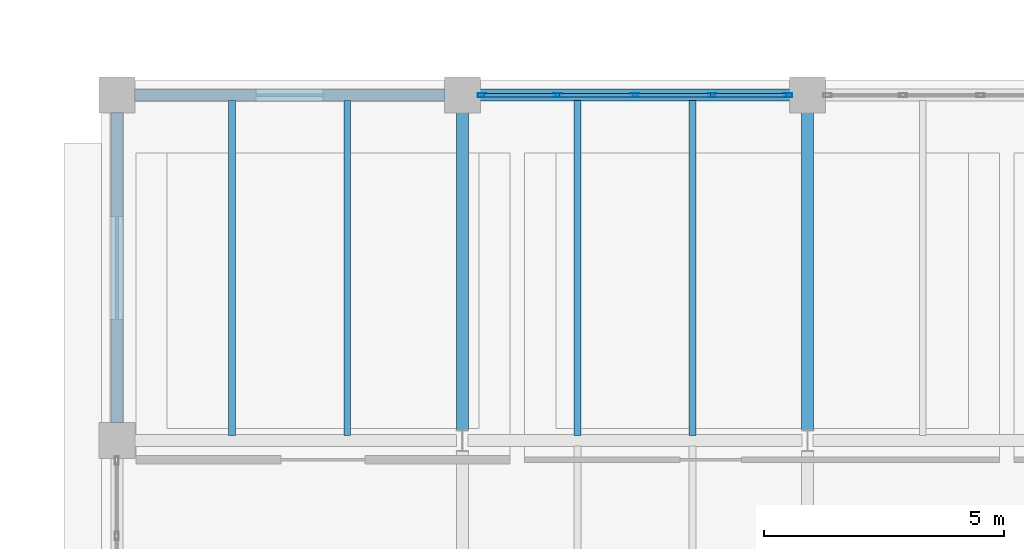
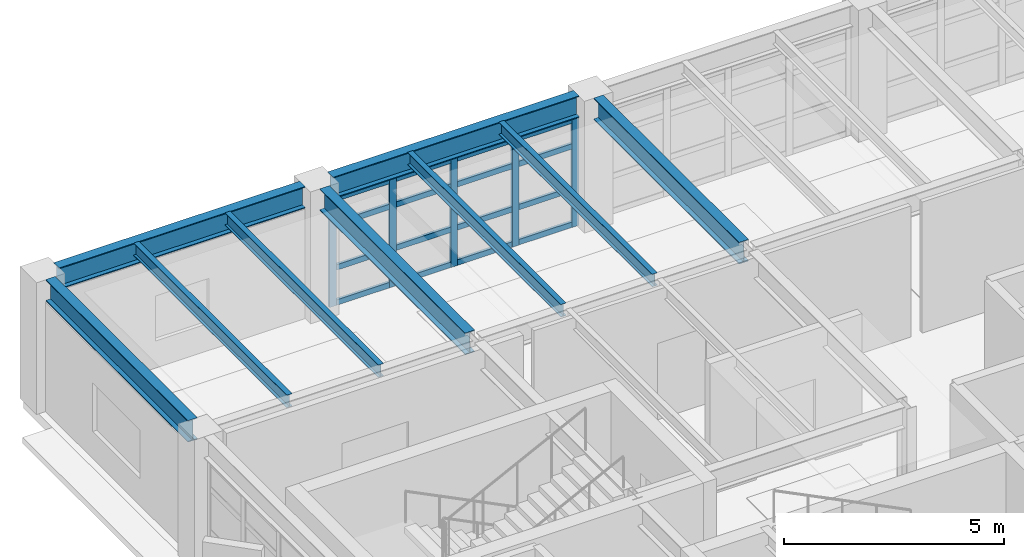
# One storey, part 9 of 32: 21 members, 9 beams, 1 element without a shape of its own.
"""IFC4 building model written with IfcOpenShell, lengths in metres."""

from ifc_helpers import new_model, si_unit, direction, frame, origin, origin_2d, place, context, subcontext, project, spatial, hollow_rectangle, i_section, extrude, material, layer, layer_set, material_profile, profile_set, type_object, element, aggregate, save


model = new_model("IFC4")

# Units and contexts
model_context = context("Model", 3, precision=1e-05, world=origin(), true_north=direction((0.0, 1.0)))
body_context = subcontext(model_context, "Body", "Model", "MODEL_VIEW")
ifc_project = project(units=[si_unit("LENGTHUNIT", "METRE"), si_unit("AREAUNIT", "SQUARE_METRE"), si_unit("VOLUMEUNIT", "CUBIC_METRE"), si_unit("PLANEANGLEUNIT", "RADIAN"), si_unit("MASSUNIT", "GRAM", prefix="KILO")], contexts=[model_context])

# Site, building, storey
site_placement = place(None, origin())
site = spatial("IfcSite", under=ifc_project, at=site_placement, CompositionType="ELEMENT")
building_placement = place(site_placement, origin())
building = spatial("IfcBuilding", under=site, at=building_placement, Name="Kandorven Conservatory and Botanical Research Centre", CompositionType="ELEMENT")
storey_placement = place(building_placement, frame((0.0, 0.0, 17.10009765625)))
storey = spatial("IfcBuildingStorey", under=building, at=storey_placement, Name="L04", CompositionType="ELEMENT", Elevation=17.10009765625)

# Beams
ifc_material_1 = material(Name="Steel S355 (IS 2062 E350)", Category="steel")
ifc_material_profile_1 = material_profile(ifc_material_1, i_section(OverallWidth=0.25, OverallDepth=0.60009765625, WebThickness=0.01171875, FlangeThickness=0.023681640625, at=origin_2d()))
ifc_profile_set_1 = profile_set([ifc_material_profile_1], Name="Steel S355 (IS 2062 E350)")
beam_type_1 = type_object("IfcBeamType", Name="Beam_FG-01", PredefinedType="USERDEFINED", material=ifc_profile_set_1)
for number, where, z_axis, x_axis, name in (
    (1, (6.364990234375, 34.800048828125, 3.35986328125), (1.0, 0.0, 0.0), (0.0, 1.0, 0.0), "Primary girder FG-01 TWR L04"),
    (2, (13.56494140625, 34.800048828125, 3.35986328125), (1.0, 0.0, 0.0), (0.0, 1.0, 0.0), "Primary girder FG-01 TWR L04"),
    (3, (6.0, 27.965087890625, 3.35986328125), (0.0, 1.0, 0.0), (-1.0, 0.0, 0.0), "Primary girder FG-01 TWR L04"),
):
    element("IfcBeam", number, at=place(storey_placement, frame(where, z_axis=z_axis, x_axis=x_axis)), inside=storey, type_object=beam_type_1, Name=name, ObjectType="GIRDER", PredefinedType="USERDEFINED", context=body_context, shape_type="SweptSolid", body=[
        extrude(i_section(OverallWidth=0.25, OverallDepth=0.60009765625, WebThickness=0.01171875, FlangeThickness=0.023681640625, at=origin_2d()), origin(), (0.0, 0.0, 1.0), 6.469970703125),
    ])
for number, where, z_axis, x_axis, name in (
    (4, (13.199951171875, 27.81494140625, 3.35986328125), (0.0, 1.0, 0.0), (-1.0, 0.0, 0.0), "Primary girder FG-01 TWR L04"),
    (5, (20.39990234375, 27.81494140625, 3.35986328125), (0.0, 1.0, 0.0), (-1.0, 0.0, 0.0), "Primary girder FG-01 TWR L04"),
):
    element("IfcBeam", number, at=place(storey_placement, frame(where, z_axis=z_axis, x_axis=x_axis)), inside=storey, type_object=beam_type_1, Name=name, ObjectType="GIRDER", PredefinedType="USERDEFINED", context=body_context, shape_type="SweptSolid", body=[
        extrude(i_section(OverallWidth=0.25, OverallDepth=0.60009765625, WebThickness=0.01171875, FlangeThickness=0.023681640625, at=origin_2d()), origin(), (0.0, 0.0, 1.0), 6.6201171875),
    ])
ifc_material_2 = material(Name="Steel S355 (IS 2062 E350)", Category="steel")
ifc_material_profile_2 = material_profile(ifc_material_2, i_section(OverallWidth=0.139892578125, OverallDepth=0.35009765625, WebThickness=0.008056640625, FlangeThickness=0.01416015625, at=origin_2d()))
ifc_profile_set_2 = profile_set([ifc_material_profile_2], Name="Steel S355 (IS 2062 E350)")
beam_type_2 = type_object("IfcBeamType", Name="Beam_SB-06", PredefinedType="BEAM", material=ifc_profile_set_2)
for number, where, z_axis, x_axis, name in (
    (6, (8.39990234375, 27.7099609375, 3.48486328125), (0.0, 1.0, 0.0), (-1.0, 0.0, 0.0), "Composite secondary beam SB-06 TWR L04"),
    (7, (10.800048828125, 27.7099609375, 3.48486328125), (0.0, 1.0, 0.0), (-1.0, 0.0, 0.0), "Composite secondary beam SB-06 TWR L04"),
    (8, (15.60009765625, 27.7099609375, 3.48486328125), (0.0, 1.0, 0.0), (-1.0, 0.0, 0.0), "Composite secondary beam SB-06 TWR L04"),
    (9, (18.0, 27.7099609375, 3.48486328125), (0.0, 1.0, 0.0), (-1.0, 0.0, 0.0), "Composite secondary beam SB-06 TWR L04"),
):
    element("IfcBeam", number, at=place(storey_placement, frame(where, z_axis=z_axis, x_axis=x_axis)), inside=storey, type_object=beam_type_2, Name=name, PredefinedType="BEAM", context=body_context, shape_type="SweptSolid", body=[
        extrude(i_section(OverallWidth=0.139892578125, OverallDepth=0.35009765625, WebThickness=0.008056640625, FlangeThickness=0.01416015625, at=origin_2d()), origin(), (0.0, 0.0, 1.0), 6.97998046875),
    ])

# Curtain wall, members
ifc_material_3 = material(Name="Bronze anodised thermally broken aluminium", Category="aluminium")
ifc_layer = layer(ifc_material_3, 0.179931640625)
ifc_layer_set = layer_set([ifc_layer], Name="Bronze anodised thermally broken aluminium")
curtain_wall_type = type_object("IfcCurtainWallType", Name="CW_Unitised", PredefinedType="USERDEFINED", material=ifc_layer_set)
curtain_wall_placement = place(storey_placement, origin())
curtain_wall = element("IfcCurtainWall", 10, at=curtain_wall_placement, inside=storey, type_object=curtain_wall_type, Name="Tower laboratory curtain wall CW-TWR-N-L04-2", ObjectType="UNITISED GLAZING", PredefinedType="USERDEFINED")
ifc_material_4 = material(Name="Bronze anodised thermally broken aluminium", Category="aluminium")
ifc_material_profile_3 = material_profile(ifc_material_4, hollow_rectangle(XDim=0.080078125, YDim=0.179931640625, WallThickness=0.006103515625, at=origin_2d()))
ifc_profile_set_3 = profile_set([ifc_material_profile_3], Name="Bronze anodised thermally broken aluminium")
member_type_1 = type_object("IfcMemberType", Name="CW_Mullion", PredefinedType="MULLION", material=ifc_profile_set_3)
member_1_placement = place(storey_placement, frame((13.614990234375, 34.800048828125, 0.0), z_axis=(0.0, 0.0, 1.0), x_axis=(0.0, 1.0, 0.0)))
member_1 = element("IfcMember", 11, at=member_1_placement, type_object=member_type_1, Name="CW-01 mullion 1", PredefinedType="MULLION", context=body_context, shape_type="SweptSolid", body=[
    extrude(hollow_rectangle(XDim=0.080078125, YDim=0.179931640625, WallThickness=0.006103515625, at=origin_2d()), origin(), (0.0, 0.0, 1.0), 3.039794921875),
])
member_2_placement = place(storey_placement, frame((15.1875, 34.800048828125, 0.0), z_axis=(0.0, 0.0, 1.0), x_axis=(0.0, 1.0, 0.0)))
member_2 = element("IfcMember", 12, at=member_2_placement, type_object=member_type_1, Name="CW-01 mullion 2", PredefinedType="MULLION", context=body_context, shape_type="SweptSolid", body=[
    extrude(hollow_rectangle(XDim=0.080078125, YDim=0.179931640625, WallThickness=0.006103515625, at=origin_2d()), origin(), (0.0, 0.0, 1.0), 3.039794921875),
])
member_3_placement = place(storey_placement, frame((16.800048828125, 34.800048828125, 0.0), z_axis=(0.0, 0.0, 1.0), x_axis=(0.0, 1.0, 0.0)))
member_3 = element("IfcMember", 13, at=member_3_placement, type_object=member_type_1, Name="CW-01 mullion 3", PredefinedType="MULLION", context=body_context, shape_type="SweptSolid", body=[
    extrude(hollow_rectangle(XDim=0.080078125, YDim=0.179931640625, WallThickness=0.006103515625, at=origin_2d()), origin(), (0.0, 0.0, 1.0), 3.039794921875),
])
member_4_placement = place(storey_placement, frame((18.41259765625, 34.800048828125, 0.0), z_axis=(0.0, 0.0, 1.0), x_axis=(0.0, 1.0, 0.0)))
member_4 = element("IfcMember", 14, at=member_4_placement, type_object=member_type_1, Name="CW-01 mullion 4", PredefinedType="MULLION", context=body_context, shape_type="SweptSolid", body=[
    extrude(hollow_rectangle(XDim=0.080078125, YDim=0.179931640625, WallThickness=0.006103515625, at=origin_2d()), origin(), (0.0, 0.0, 1.0), 3.039794921875),
])
member_5_placement = place(storey_placement, frame((19.985107421875, 34.800048828125, 0.0), z_axis=(0.0, 0.0, 1.0), x_axis=(0.0, 1.0, 0.0)))
member_5 = element("IfcMember", 15, at=member_5_placement, type_object=member_type_1, Name="CW-01 mullion 5", PredefinedType="MULLION", context=body_context, shape_type="SweptSolid", body=[
    extrude(hollow_rectangle(XDim=0.080078125, YDim=0.179931640625, WallThickness=0.006103515625, at=origin_2d()), origin(), (0.0, 0.0, 1.0), 3.039794921875),
])
ifc_material_5 = material(Name="Bronze anodised thermally broken aluminium", Category="aluminium")
ifc_material_profile_4 = material_profile(ifc_material_5, hollow_rectangle(XDim=0.074951171875, YDim=0.14990234375, WallThickness=0.006103515625, at=origin_2d()))
ifc_profile_set_4 = profile_set([ifc_material_profile_4], Name="Bronze anodised thermally broken aluminium")
member_type_2 = type_object("IfcMemberType", Name="CW_Transom", PredefinedType="USERDEFINED", material=ifc_profile_set_4)
member_6_placement = place(storey_placement, frame((13.655029296875, 34.800048828125, 0.074951171875), z_axis=(1.0, 0.0, 0.0), x_axis=(0.0, 1.0, 0.0)))
member_6 = element("IfcMember", 16, at=member_6_placement, type_object=member_type_2, Name="CW-01 transom 1.1", ObjectType="TRANSOM", PredefinedType="USERDEFINED", context=body_context, shape_type="SweptSolid", body=[
    extrude(hollow_rectangle(XDim=0.074951171875, YDim=0.14990234375, WallThickness=0.006103515625, at=origin_2d()), origin(), (0.0, 0.0, 1.0), 1.492431640625),
])
member_7_placement = place(storey_placement, frame((13.655029296875, 34.800048828125, 1.0498046875), z_axis=(1.0, 0.0, 0.0), x_axis=(0.0, 1.0, 0.0)))
member_7 = element("IfcMember", 17, at=member_7_placement, type_object=member_type_2, Name="CW-01 transom 1.2", ObjectType="TRANSOM", PredefinedType="USERDEFINED", context=body_context, shape_type="SweptSolid", body=[
    extrude(hollow_rectangle(XDim=0.074951171875, YDim=0.14990234375, WallThickness=0.006103515625, at=origin_2d()), origin(), (0.0, 0.0, 1.0), 1.492431640625),
])
member_8_placement = place(storey_placement, frame((13.655029296875, 34.800048828125, 2.25), z_axis=(1.0, 0.0, 0.0), x_axis=(0.0, 1.0, 0.0)))
member_8 = element("IfcMember", 18, at=member_8_placement, type_object=member_type_2, Name="CW-01 transom 1.3", ObjectType="TRANSOM", PredefinedType="USERDEFINED", context=body_context, shape_type="SweptSolid", body=[
    extrude(hollow_rectangle(XDim=0.074951171875, YDim=0.14990234375, WallThickness=0.006103515625, at=origin_2d()), origin(), (0.0, 0.0, 1.0), 1.492431640625),
])
member_9_placement = place(storey_placement, frame((13.655029296875, 34.800048828125, 2.96484375), z_axis=(1.0, 0.0, 0.0), x_axis=(0.0, 1.0, 0.0)))
member_9 = element("IfcMember", 19, at=member_9_placement, type_object=member_type_2, Name="CW-01 transom 1.4", ObjectType="TRANSOM", PredefinedType="USERDEFINED", context=body_context, shape_type="SweptSolid", body=[
    extrude(hollow_rectangle(XDim=0.074951171875, YDim=0.14990234375, WallThickness=0.006103515625, at=origin_2d()), origin(), (0.0, 0.0, 1.0), 1.492431640625),
])
member_10_placement = place(storey_placement, frame((15.2275390625, 34.800048828125, 0.074951171875), z_axis=(1.0, 0.0, 0.0), x_axis=(0.0, 1.0, 0.0)))
member_10 = element("IfcMember", 20, at=member_10_placement, type_object=member_type_2, Name="CW-01 transom 2.1", ObjectType="TRANSOM", PredefinedType="USERDEFINED", context=body_context, shape_type="SweptSolid", body=[
    extrude(hollow_rectangle(XDim=0.074951171875, YDim=0.14990234375, WallThickness=0.006103515625, at=origin_2d()), origin(), (0.0, 0.0, 1.0), 1.532470703125),
])
member_11_placement = place(storey_placement, frame((15.2275390625, 34.800048828125, 1.0498046875), z_axis=(1.0, 0.0, 0.0), x_axis=(0.0, 1.0, 0.0)))
member_11 = element("IfcMember", 21, at=member_11_placement, type_object=member_type_2, Name="CW-01 transom 2.2", ObjectType="TRANSOM", PredefinedType="USERDEFINED", context=body_context, shape_type="SweptSolid", body=[
    extrude(hollow_rectangle(XDim=0.074951171875, YDim=0.14990234375, WallThickness=0.006103515625, at=origin_2d()), origin(), (0.0, 0.0, 1.0), 1.532470703125),
])
member_12_placement = place(storey_placement, frame((15.2275390625, 34.800048828125, 2.25), z_axis=(1.0, 0.0, 0.0), x_axis=(0.0, 1.0, 0.0)))
member_12 = element("IfcMember", 22, at=member_12_placement, type_object=member_type_2, Name="CW-01 transom 2.3", ObjectType="TRANSOM", PredefinedType="USERDEFINED", context=body_context, shape_type="SweptSolid", body=[
    extrude(hollow_rectangle(XDim=0.074951171875, YDim=0.14990234375, WallThickness=0.006103515625, at=origin_2d()), origin(), (0.0, 0.0, 1.0), 1.532470703125),
])
member_13_placement = place(storey_placement, frame((15.2275390625, 34.800048828125, 2.96484375), z_axis=(1.0, 0.0, 0.0), x_axis=(0.0, 1.0, 0.0)))
member_13 = element("IfcMember", 23, at=member_13_placement, type_object=member_type_2, Name="CW-01 transom 2.4", ObjectType="TRANSOM", PredefinedType="USERDEFINED", context=body_context, shape_type="SweptSolid", body=[
    extrude(hollow_rectangle(XDim=0.074951171875, YDim=0.14990234375, WallThickness=0.006103515625, at=origin_2d()), origin(), (0.0, 0.0, 1.0), 1.532470703125),
])
member_14_placement = place(storey_placement, frame((16.840087890625, 34.800048828125, 0.074951171875), z_axis=(1.0, 0.0, 0.0), x_axis=(0.0, 1.0, 0.0)))
member_14 = element("IfcMember", 24, at=member_14_placement, type_object=member_type_2, Name="CW-01 transom 3.1", ObjectType="TRANSOM", PredefinedType="USERDEFINED", context=body_context, shape_type="SweptSolid", body=[
    extrude(hollow_rectangle(XDim=0.074951171875, YDim=0.14990234375, WallThickness=0.006103515625, at=origin_2d()), origin(), (0.0, 0.0, 1.0), 1.532470703125),
])
member_15_placement = place(storey_placement, frame((16.840087890625, 34.800048828125, 1.0498046875), z_axis=(1.0, 0.0, 0.0), x_axis=(0.0, 1.0, 0.0)))
member_15 = element("IfcMember", 25, at=member_15_placement, type_object=member_type_2, Name="CW-01 transom 3.2", ObjectType="TRANSOM", PredefinedType="USERDEFINED", context=body_context, shape_type="SweptSolid", body=[
    extrude(hollow_rectangle(XDim=0.074951171875, YDim=0.14990234375, WallThickness=0.006103515625, at=origin_2d()), origin(), (0.0, 0.0, 1.0), 1.532470703125),
])
member_16_placement = place(storey_placement, frame((16.840087890625, 34.800048828125, 2.25), z_axis=(1.0, 0.0, 0.0), x_axis=(0.0, 1.0, 0.0)))
member_16 = element("IfcMember", 26, at=member_16_placement, type_object=member_type_2, Name="CW-01 transom 3.3", ObjectType="TRANSOM", PredefinedType="USERDEFINED", context=body_context, shape_type="SweptSolid", body=[
    extrude(hollow_rectangle(XDim=0.074951171875, YDim=0.14990234375, WallThickness=0.006103515625, at=origin_2d()), origin(), (0.0, 0.0, 1.0), 1.532470703125),
])
member_17_placement = place(storey_placement, frame((16.840087890625, 34.800048828125, 2.96484375), z_axis=(1.0, 0.0, 0.0), x_axis=(0.0, 1.0, 0.0)))
member_17 = element("IfcMember", 27, at=member_17_placement, type_object=member_type_2, Name="CW-01 transom 3.4", ObjectType="TRANSOM", PredefinedType="USERDEFINED", context=body_context, shape_type="SweptSolid", body=[
    extrude(hollow_rectangle(XDim=0.074951171875, YDim=0.14990234375, WallThickness=0.006103515625, at=origin_2d()), origin(), (0.0, 0.0, 1.0), 1.532470703125),
])
member_18_placement = place(storey_placement, frame((18.452392578125, 34.800048828125, 0.074951171875), z_axis=(1.0, 0.0, 0.0), x_axis=(0.0, 1.0, 0.0)))
member_18 = element("IfcMember", 28, at=member_18_placement, type_object=member_type_2, Name="CW-01 transom 4.1", ObjectType="TRANSOM", PredefinedType="USERDEFINED", context=body_context, shape_type="SweptSolid", body=[
    extrude(hollow_rectangle(XDim=0.074951171875, YDim=0.14990234375, WallThickness=0.006103515625, at=origin_2d()), origin(), (0.0, 0.0, 1.0), 1.49267578125),
])
member_19_placement = place(storey_placement, frame((18.452392578125, 34.800048828125, 1.0498046875), z_axis=(1.0, 0.0, 0.0), x_axis=(0.0, 1.0, 0.0)))
member_19 = element("IfcMember", 29, at=member_19_placement, type_object=member_type_2, Name="CW-01 transom 4.2", ObjectType="TRANSOM", PredefinedType="USERDEFINED", context=body_context, shape_type="SweptSolid", body=[
    extrude(hollow_rectangle(XDim=0.074951171875, YDim=0.14990234375, WallThickness=0.006103515625, at=origin_2d()), origin(), (0.0, 0.0, 1.0), 1.49267578125),
])
member_20_placement = place(storey_placement, frame((18.452392578125, 34.800048828125, 2.25), z_axis=(1.0, 0.0, 0.0), x_axis=(0.0, 1.0, 0.0)))
member_20 = element("IfcMember", 30, at=member_20_placement, type_object=member_type_2, Name="CW-01 transom 4.3", ObjectType="TRANSOM", PredefinedType="USERDEFINED", context=body_context, shape_type="SweptSolid", body=[
    extrude(hollow_rectangle(XDim=0.074951171875, YDim=0.14990234375, WallThickness=0.006103515625, at=origin_2d()), origin(), (0.0, 0.0, 1.0), 1.49267578125),
])
member_21_placement = place(storey_placement, frame((18.452392578125, 34.800048828125, 2.96484375), z_axis=(1.0, 0.0, 0.0), x_axis=(0.0, 1.0, 0.0)))
member_21 = element("IfcMember", 31, at=member_21_placement, type_object=member_type_2, Name="CW-01 transom 4.4", ObjectType="TRANSOM", PredefinedType="USERDEFINED", context=body_context, shape_type="SweptSolid", body=[
    extrude(hollow_rectangle(XDim=0.074951171875, YDim=0.14990234375, WallThickness=0.006103515625, at=origin_2d()), origin(), (0.0, 0.0, 1.0), 1.49267578125),
])
aggregate(curtain_wall, [member_1, member_2, member_3, member_4, member_5, member_6, member_7, member_8, member_9, member_10, member_11, member_12, member_13, member_14, member_15, member_16, member_17, member_18, member_19, member_20, member_21])

save(model, "model.ifc")
